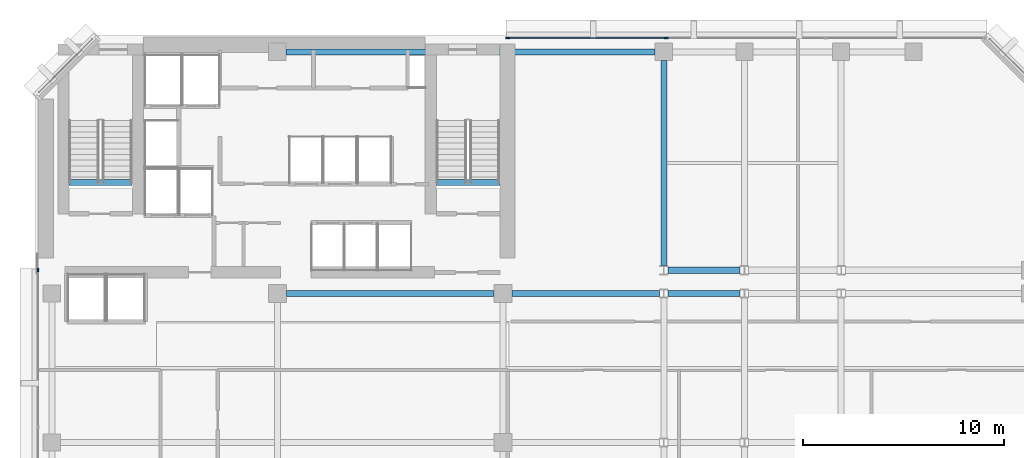
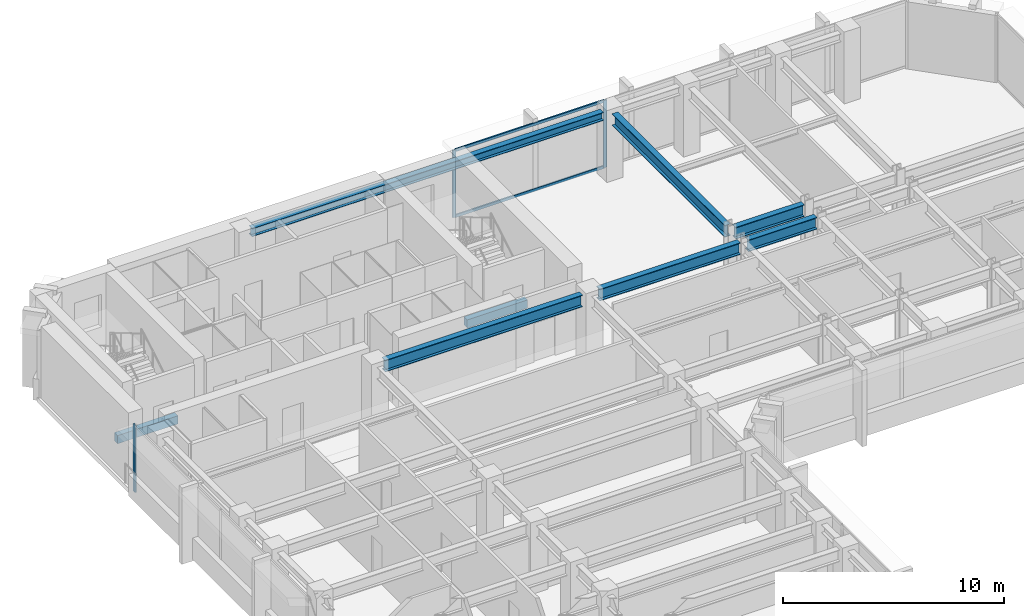
# One storey, part 4 of 11: 8 beams, 5 members, 2 elements without a shape of their own.
"""IFC4 building model written with IfcOpenShell, lengths in metres."""

from ifc_helpers import new_model, si_unit, direction, frame, origin, origin_2d, place, context, subcontext, project, spatial, rectangle, i_section, extrude, material, layer, layer_set, material_profile, profile_set, type_object, element, aggregate, save


model = new_model("IFC4")

# Units and contexts
model_context = context("Model", 3, precision=1e-05, world=origin(), true_north=direction((0.0, 1.0)))
body_context = subcontext(model_context, "Body", "Model", "MODEL_VIEW")
ifc_project = project(units=[si_unit("LENGTHUNIT", "METRE"), si_unit("AREAUNIT", "SQUARE_METRE"), si_unit("VOLUMEUNIT", "CUBIC_METRE"), si_unit("PLANEANGLEUNIT", "RADIAN"), si_unit("MASSUNIT", "GRAM", prefix="KILO")], contexts=[model_context])

# Site, building, storey
site_placement = place(None, origin())
site = spatial("IfcSite", under=ifc_project, at=site_placement, CompositionType="ELEMENT")
building_placement = place(site_placement, origin())
building = spatial("IfcBuilding", under=site, at=building_placement, Name="Kefirva Bronze Tower", CompositionType="ELEMENT")
storey_placement = place(building_placement, frame((0.0, 0.0, 146.85009765625)))
storey = spatial("IfcBuildingStorey", under=building, at=storey_placement, Name="L35", CompositionType="ELEMENT", Elevation=146.85009765625)

# Curtain wall, members
ifc_material_1 = material(Name="Bronze anodised aluminium", Category="aluminium")
ifc_layer = layer(ifc_material_1, 0.199951171875, Name="Bronze anodised aluminium")
ifc_layer_set = layer_set([ifc_layer], Name="Bronze anodised aluminium")
curtain_wall_type = type_object("IfcCurtainWallType", Name="Unitised Bronze Ribbon Curtain Wall Zone 2", PredefinedType="USERDEFINED", material=ifc_layer_set)
curtain_wall_1_placement = place(storey_placement, origin())
curtain_wall_1 = element("IfcCurtainWall", 1, at=curtain_wall_1_placement, inside=storey, type_object=curtain_wall_type, Name="L35 Curtain Wall 4", ObjectType="UNITISED CURTAIN WALL", PredefinedType="USERDEFINED")
ifc_material_profile_1 = material_profile(ifc_material_1, rectangle(XDim=0.074951171875, YDim=0.179931640625, at=origin_2d()), Name="ALU 75x180")
ifc_profile_set_1 = profile_set([ifc_material_profile_1], Name="Bronze anodised aluminium")
member_type_1 = type_object("IfcMemberType", Name="Bronze Mullion 75x180", PredefinedType="MULLION", material=ifc_profile_set_1)
member_1_placement = place(storey_placement, frame((31.318359375, 45.8798828125, 0.0), z_axis=(0.0, 0.0, 1.0), x_axis=(0.0, -1.0, 0.0)))
member_1 = element("IfcMember", 2, at=member_1_placement, type_object=member_type_1, Name="CW-02 mullion 3", PredefinedType="MULLION", context=body_context, shape_type="SweptSolid", body=[
    extrude(rectangle(XDim=0.074951171875, YDim=0.179931640625, at=origin_2d()), origin(), (0.0, 0.0, 1.0), 3.7099609375),
])
member_2_placement = place(storey_placement, frame((23.4423828125, 45.8798828125, 0.0), z_axis=(0.0, 0.0, 1.0), x_axis=(0.0, -1.0, 0.0)))
member_2 = element("IfcMember", 3, at=member_2_placement, type_object=member_type_1, Name="CW-02 mullion 4", PredefinedType="MULLION", context=body_context, shape_type="SweptSolid", body=[
    extrude(rectangle(XDim=0.074951171875, YDim=0.179931640625, at=origin_2d()), origin(), (0.0, 0.0, 1.0), 3.7099609375),
])

# Curtain wall, member
curtain_wall_2_placement = place(storey_placement, origin())
curtain_wall_2 = element("IfcCurtainWall", 4, at=curtain_wall_2_placement, inside=storey, type_object=curtain_wall_type, Name="L35 Curtain Wall 5", ObjectType="UNITISED CURTAIN WALL", PredefinedType="USERDEFINED")
member_3_placement = place(storey_placement, frame((0.1201171875, 34.357421875, 0.0), z_axis=(0.0, 0.0, 1.0), x_axis=(1.0, 0.0, 0.0)))
member_3 = element("IfcMember", 5, at=member_3_placement, type_object=member_type_1, Name="CW-02 mullion 1", PredefinedType="MULLION", context=body_context, shape_type="SweptSolid", body=[
    extrude(rectangle(XDim=0.074951171875, YDim=0.179931640625, at=origin_2d()), origin(), (0.0, 0.0, 1.0), 3.7099609375),
])
aggregate(curtain_wall_2, [member_3])

# Member
ifc_material_profile_2 = material_profile(ifc_material_1, rectangle(XDim=0.074951171875, YDim=0.14990234375, at=origin_2d()), Name="ALU 75x150")
ifc_profile_set_2 = profile_set([ifc_material_profile_2], Name="Bronze anodised aluminium")
member_type_2 = type_object("IfcMemberType", Name="Bronze Transom 75x150", PredefinedType="USERDEFINED", material=ifc_profile_set_2)
member_4_placement = place(storey_placement, frame((31.28076171875, 45.8798828125, 0.037353515625), z_axis=(-1.0, 0.0, 0.0), x_axis=(0.0, -1.0, 0.0)))
member_4 = element("IfcMember", 6, at=member_4_placement, type_object=member_type_2, Name="CW-02 transom 3.1", ObjectType="TRANSOM", PredefinedType="USERDEFINED", context=body_context, shape_type="SweptSolid", body=[
    extrude(rectangle(XDim=0.074951171875, YDim=0.14990234375, at=origin_2d()), origin(), (0.0, 0.0, 1.0), 7.80078125),
])

member_5_placement = place(storey_placement, frame((31.28076171875, 45.8798828125, 3.67236328125), z_axis=(-1.0, 0.0, 0.0), x_axis=(0.0, -1.0, 0.0)))
member_5 = element("IfcMember", 7, at=member_5_placement, type_object=member_type_2, Name="CW-02 transom 3.2", ObjectType="TRANSOM", PredefinedType="USERDEFINED", context=body_context, shape_type="SweptSolid", body=[
    extrude(rectangle(XDim=0.074951171875, YDim=0.14990234375, at=origin_2d()), origin(), (0.0, 0.0, 1.0), 7.80078125),
])

aggregate(curtain_wall_1, [member_1, member_2, member_4, member_5])

# Beams
ifc_material_2 = material(Name="Concrete C50/60", Category="concrete")
ifc_material_profile_3 = material_profile(ifc_material_2, rectangle(XDim=0.300048828125, YDim=0.449951171875, at=origin_2d()), Name="RC 300x450")
ifc_profile_set_3 = profile_set([ifc_material_profile_3], Name="Concrete C50/60")
beam_type_1 = type_object("IfcBeamType", Name="RC Stair Trimmer Beam 300x450", PredefinedType="BEAM", material=ifc_profile_set_3)
beam_1_placement = place(storey_placement, frame((1.64501953125, 38.699951171875, -0.22509765625), z_axis=(1.0, 0.0, 0.0), x_axis=(0.0, 1.0, 0.0)))
element("IfcBeam", 8, at=beam_1_placement, inside=storey, type_object=beam_type_1, Name="L35 Stair 1 Landing Trimmer Beam", PredefinedType="BEAM", context=body_context, shape_type="SweptSolid", body=[
    extrude(rectangle(XDim=0.300048828125, YDim=0.449951171875, at=origin_2d()), origin(), (0.0, 0.0, 1.0), 3.14990234375),
])
beam_2_placement = place(storey_placement, frame((19.89501953125, 38.699951171875, -0.22509765625), z_axis=(1.0, 0.0, 0.0), x_axis=(0.0, 1.0, 0.0)))
element("IfcBeam", 9, at=beam_2_placement, inside=storey, type_object=beam_type_1, Name="L35 Stair 2 Landing Trimmer Beam", PredefinedType="BEAM", context=body_context, shape_type="SweptSolid", body=[
    extrude(rectangle(XDim=0.300048828125, YDim=0.449951171875, at=origin_2d()), origin(), (0.0, 0.0, 1.0), 3.159912109375),
])
ifc_material_3 = material(Name="Steel S355", Category="steel")
ifc_material_profile_4 = material_profile(ifc_material_3, i_section(OverallWidth=0.300048828125, OverallDepth=0.64990234375, WebThickness=0.01611328125, FlangeThickness=0.031005859375, at=origin_2d()), Name="HEB 650")
ifc_profile_set_4 = profile_set([ifc_material_profile_4], Name="Steel S355")
beam_type_2 = type_object("IfcBeamType", Name="Steel Girder HEB 650", PredefinedType="USERDEFINED", material=ifc_profile_set_4)
beam_3_placement = place(storey_placement, frame((12.449951171875, 33.199951171875, 3.385009765625), z_axis=(1.0, 0.0, 0.0), x_axis=(0.0, 1.0, 0.0)))
element("IfcBeam", 10, at=beam_3_placement, inside=storey, type_object=beam_type_2, Name="L35 BM-L35-EW-12-332", ObjectType="GIRDER", PredefinedType="USERDEFINED", context=body_context, shape_type="SweptSolid", body=[
    extrude(i_section(OverallWidth=0.300048828125, OverallDepth=0.64990234375, WebThickness=0.01611328125, FlangeThickness=0.031005859375, at=origin_2d()), origin(), (0.0, 0.0, 1.0), 10.300048828125),
])
beam_4_placement = place(storey_placement, frame((23.64990234375, 33.199951171875, 3.385009765625), z_axis=(1.0, 0.0, 0.0), x_axis=(0.0, 1.0, 0.0)))
element("IfcBeam", 11, at=beam_4_placement, inside=storey, type_object=beam_type_2, Name="L35 BM-L35-EW-23-332", ObjectType="GIRDER", PredefinedType="USERDEFINED", context=body_context, shape_type="SweptSolid", body=[
    extrude(i_section(OverallWidth=0.300048828125, OverallDepth=0.64990234375, WebThickness=0.01611328125, FlangeThickness=0.031005859375, at=origin_2d()), origin(), (0.0, 0.0, 1.0), 7.341064453125),
])
for number, where, z_axis, x_axis, name in (
    (12, (31.408935546875, 33.199951171875, 3.385009765625), (1.0, 0.0, 0.0), (0.0, 1.0, 0.0), "L35 BM-L35-EW-31-332"),
    (13, (31.408935546875, 34.35009765625, 3.385009765625), (1.0, 0.0, 0.0), (0.0, 1.0, 0.0), "L35 BM-L35-EW-31-344"),
):
    element("IfcBeam", number, at=place(storey_placement, frame(where, z_axis=z_axis, x_axis=x_axis)), inside=storey, type_object=beam_type_2, Name=name, ObjectType="GIRDER", PredefinedType="USERDEFINED", context=body_context, shape_type="SweptSolid", body=[
        extrude(i_section(OverallWidth=0.300048828125, OverallDepth=0.64990234375, WebThickness=0.01611328125, FlangeThickness=0.031005859375, at=origin_2d()), origin(), (0.0, 0.0, 1.0), 3.58203125),
    ])
beam_5_placement = place(storey_placement, frame((31.199951171875, 34.577392578125, 3.385009765625), z_axis=(0.0, 1.0, 0.0), x_axis=(-1.0, 0.0, 0.0)))
element("IfcBeam", 14, at=beam_5_placement, inside=storey, type_object=beam_type_2, Name="L35 BM-L35-NS-312-34", ObjectType="GIRDER", PredefinedType="USERDEFINED", context=body_context, shape_type="SweptSolid", body=[
    extrude(i_section(OverallWidth=0.300048828125, OverallDepth=0.64990234375, WebThickness=0.01611328125, FlangeThickness=0.031005859375, at=origin_2d()), origin(), (0.0, 0.0, 1.0), 10.192626953125),
])
ifc_material_profile_5 = material_profile(ifc_material_3, i_section(OverallWidth=0.300048828125, OverallDepth=0.449951171875, WebThickness=0.013916015625, FlangeThickness=0.02587890625, at=origin_2d()), Name="HEB 450")
ifc_profile_set_5 = profile_set([ifc_material_profile_5], Name="Steel S355")
beam_type_3 = type_object("IfcBeamType", Name="Steel Spandrel HEB 450 Ext", PredefinedType="SPANDREL", material=ifc_profile_set_5)
beam_6_placement = place(storey_placement, frame((12.429931640625, 45.199951171875, 3.48486328125), z_axis=(1.0, 0.0, 0.0), x_axis=(0.0, 1.0, 0.0)))
element("IfcBeam", 15, at=beam_6_placement, inside=storey, type_object=beam_type_3, Name="L35 BM-L35-EW-12-452", PredefinedType="SPANDREL", context=body_context, shape_type="SweptSolid", body=[
    extrude(i_section(OverallWidth=0.300048828125, OverallDepth=0.449951171875, WebThickness=0.013916015625, FlangeThickness=0.02587890625, at=origin_2d()), origin(), (0.0, 0.0, 1.0), 18.340087890625),
])

save(model, "model.ifc")
